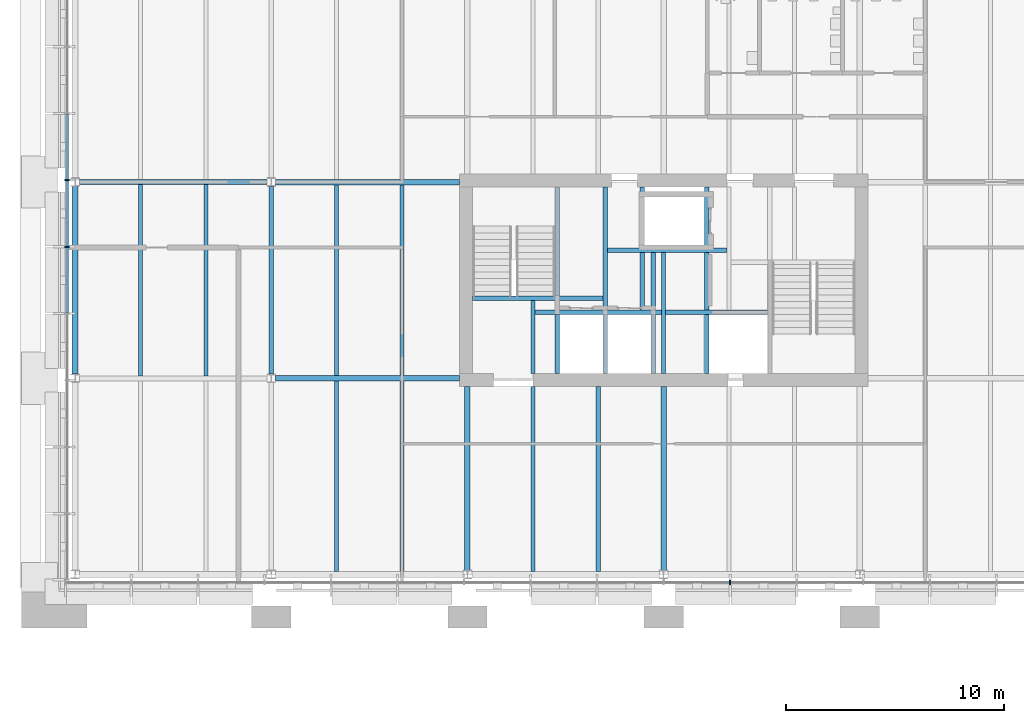
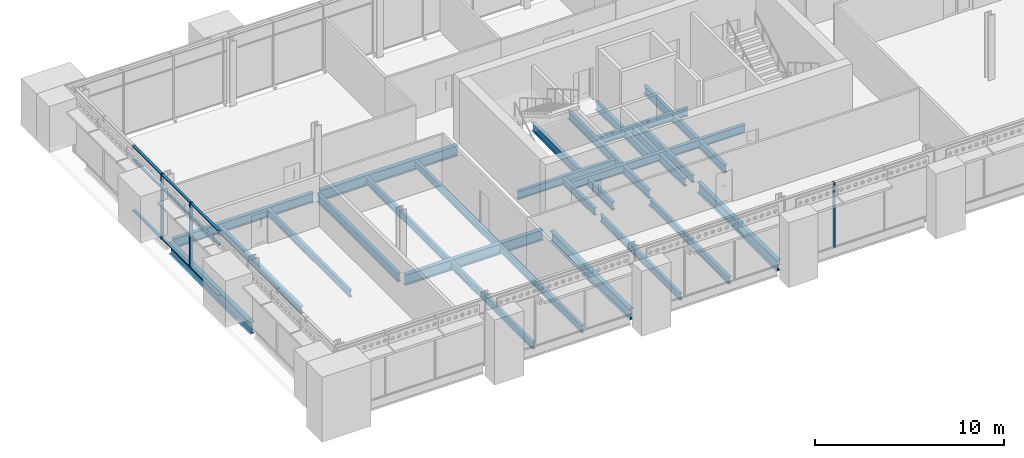
# One storey, part 35 of 153: 32 beams, 12 members, 2 elements without a shape of their own.
"""IFC4 building model written with IfcOpenShell, lengths in metres."""

from ifc_helpers import new_model, si_unit, direction, frame, origin, origin_2d, place, context, subcontext, project, spatial, rectangle, i_section, extrude, material, material_profile, profile_set, type_object, element, aggregate, save


model = new_model("IFC4")

# Units and contexts
model_context = context("Model", 3, precision=1e-05, world=origin(), true_north=direction((0.0, 1.0)))
body_context = subcontext(model_context, "Body", "Model", "MODEL_VIEW")
ifc_project = project(units=[si_unit("LENGTHUNIT", "METRE"), si_unit("AREAUNIT", "SQUARE_METRE"), si_unit("VOLUMEUNIT", "CUBIC_METRE"), si_unit("PLANEANGLEUNIT", "RADIAN"), si_unit("MASSUNIT", "GRAM", prefix="KILO")], contexts=[model_context])

# Site, building, storey
site_placement = place(None, origin())
site = spatial("IfcSite", under=ifc_project, at=site_placement, CompositionType="ELEMENT")
building_placement = place(site_placement, origin())
building = spatial("IfcBuilding", under=site, at=building_placement, Name="Baradari Gate Terminus", CompositionType="ELEMENT")
storey_placement = place(building_placement, frame((0.0, 0.0, 11.699951171875)))
storey = spatial("IfcBuildingStorey", under=building, at=storey_placement, Name="L02", CompositionType="ELEMENT", Elevation=11.699951171875)

# Beams
ifc_material_1 = material(Name="Steel S355", Category="steel")
ifc_material_profile_1 = material_profile(ifc_material_1, i_section(OverallWidth=0.19140625, OverallDepth=0.4599609375, WebThickness=0.010009765625, FlangeThickness=0.01611328125, FilletRadius=0.01025390625, at=origin_2d()), Name="UB 457x191x82")
ifc_profile_set_1 = profile_set([ifc_material_profile_1], Name="Steel S355")
beam_type_1 = type_object("IfcBeamType", Name="Core floor beam B23 UB 457x191x82", PredefinedType="BEAM", material=ifc_profile_set_1)
beam_1_placement = place(storey_placement, frame((30.0, 126.22509765625, -0.35986328125), z_axis=(0.0, 1.0, 0.0), x_axis=(-1.0, 0.0, 0.0)))
element("IfcBeam", 1, at=beam_1_placement, inside=storey, type_object=beam_type_1, Name="Core floor beam B23 30:126.225-129.57 L02", PredefinedType="BEAM", context=body_context, shape_type="SweptSolid", body=[
    extrude(i_section(OverallWidth=0.19140625, OverallDepth=0.4599609375, WebThickness=0.010009765625, FlangeThickness=0.01611328125, FilletRadius=0.01025390625, at=origin_2d()), origin(), (0.0, 0.0, 1.0), 3.34521484375),
])
beam_2_placement = place(storey_placement, frame((36.0, 126.22509765625, -0.35986328125), z_axis=(0.0, 1.0, 0.0), x_axis=(-1.0, 0.0, 0.0)))
element("IfcBeam", 2, at=beam_2_placement, inside=storey, type_object=beam_type_1, Name="Core floor beam B23 5:126.225-131.77 L02", PredefinedType="BEAM", context=body_context, shape_type="SweptSolid", body=[
    extrude(i_section(OverallWidth=0.19140625, OverallDepth=0.4599609375, WebThickness=0.010009765625, FlangeThickness=0.01611328125, FilletRadius=0.01025390625, at=origin_2d()), origin(), (0.0, 0.0, 1.0), 5.54541015625),
])
ifc_material_2 = material(Name="Steel S355", Category="steel")
ifc_material_profile_2 = material_profile(ifc_material_2, i_section(OverallWidth=0.209228515625, OverallDepth=0.533203125, WebThickness=0.010009765625, FlangeThickness=0.015625, FilletRadius=0.0126953125, at=origin_2d()), Name="UB 533x210x92")
ifc_profile_set_2 = profile_set([ifc_material_profile_2], Name="Steel S355")
beam_type_2 = type_object("IfcBeamType", Name="Core floor trimmer beam B22 UB 533x210x92", PredefinedType="BEAM", material=ifc_profile_set_2)
beam_3_placement = place(storey_placement, frame((30.095703125, 129.02490234375, -0.396484375), z_axis=(1.0, 0.0, 0.0), x_axis=(0.0, 1.0, 0.0)))
element("IfcBeam", 3, at=beam_3_placement, inside=storey, type_object=beam_type_2, Name="Core floor trimmer beam B22 129.025:30.096-35.904 L02", PredefinedType="BEAM", context=body_context, shape_type="SweptSolid", body=[
    extrude(i_section(OverallWidth=0.209228515625, OverallDepth=0.533203125, WebThickness=0.010009765625, FlangeThickness=0.015625, FilletRadius=0.0126953125, at=origin_2d()), origin(), (0.0, 0.0, 1.0), 5.80859375),
])
beam_4_placement = place(storey_placement, frame((36.095703125, 129.02490234375, -0.396484375), z_axis=(1.0, 0.0, 0.0), x_axis=(0.0, 1.0, 0.0)))
element("IfcBeam", 4, at=beam_4_placement, inside=storey, type_object=beam_type_2, Name="Core floor trimmer beam B22 129.025:36.096-40.77 L02", PredefinedType="BEAM", context=body_context, shape_type="SweptSolid", body=[
    extrude(i_section(OverallWidth=0.209228515625, OverallDepth=0.533203125, WebThickness=0.010009765625, FlangeThickness=0.015625, FilletRadius=0.0126953125, at=origin_2d()), origin(), (0.0, 0.0, 1.0), 4.6748046875),
])
beam_5_placement = place(storey_placement, frame((27.22509765625, 129.675048828125, -0.396484375), z_axis=(1.0, 0.0, 0.0), x_axis=(0.0, 1.0, 0.0)))
element("IfcBeam", 5, at=beam_5_placement, inside=storey, type_object=beam_type_2, Name="Core floor trimmer beam B22 129.675:27.225-33.22 L02", PredefinedType="BEAM", context=body_context, shape_type="SweptSolid", body=[
    extrude(i_section(OverallWidth=0.209228515625, OverallDepth=0.533203125, WebThickness=0.010009765625, FlangeThickness=0.015625, FilletRadius=0.0126953125, at=origin_2d()), origin(), (0.0, 0.0, 1.0), 5.995361328125),
])
beam_6_placement = place(storey_placement, frame((33.4296875, 131.875, -0.396484375), z_axis=(1.0, 0.0, 0.0), x_axis=(0.0, 1.0, 0.0)))
element("IfcBeam", 6, at=beam_6_placement, inside=storey, type_object=beam_type_2, Name="Core floor trimmer beam B22 131.875:33.43-38.904 L02", PredefinedType="BEAM", context=body_context, shape_type="SweptSolid", body=[
    extrude(i_section(OverallWidth=0.209228515625, OverallDepth=0.533203125, WebThickness=0.010009765625, FlangeThickness=0.015625, FilletRadius=0.0126953125, at=origin_2d()), origin(), (0.0, 0.0, 1.0), 5.474609375),
])
for number, where, z_axis, x_axis, name in (
    (7, (31.125, 126.22509765625, -0.396484375), (0.0, 1.0, 0.0), (-1.0, 0.0, 0.0), "Core floor trimmer beam B22 31.125:126.225-128.92 L02"),
    (8, (33.324951171875, 126.22509765625, -0.396484375), (0.0, 1.0, 0.0), (-1.0, 0.0, 0.0), "Core floor trimmer beam B22 33.325:126.225-128.92 L02"),
):
    element("IfcBeam", number, at=place(storey_placement, frame(where, z_axis=z_axis, x_axis=x_axis)), inside=storey, type_object=beam_type_2, Name=name, PredefinedType="BEAM", context=body_context, shape_type="SweptSolid", body=[
        extrude(i_section(OverallWidth=0.209228515625, OverallDepth=0.533203125, WebThickness=0.010009765625, FlangeThickness=0.015625, FilletRadius=0.0126953125, at=origin_2d()), origin(), (0.0, 0.0, 1.0), 2.6953125),
    ])
beam_7_placement = place(storey_placement, frame((33.324951171875, 129.129638671875, -0.396484375), z_axis=(0.0, 1.0, 0.0), x_axis=(-1.0, 0.0, 0.0)))
element("IfcBeam", 9, at=beam_7_placement, inside=storey, type_object=beam_type_2, Name="Core floor trimmer beam B22 33.325:129.13-134.775 L02", PredefinedType="BEAM", context=body_context, shape_type="SweptSolid", body=[
    extrude(i_section(OverallWidth=0.209228515625, OverallDepth=0.533203125, WebThickness=0.010009765625, FlangeThickness=0.015625, FilletRadius=0.0126953125, at=origin_2d()), origin(), (0.0, 0.0, 1.0), 5.645263671875),
])
beam_8_placement = place(storey_placement, frame((35.530029296875, 126.22509765625, -0.396484375), z_axis=(0.0, 1.0, 0.0), x_axis=(-1.0, 0.0, 0.0)))
element("IfcBeam", 10, at=beam_8_placement, inside=storey, type_object=beam_type_2, Name="Core floor trimmer beam B22 35.53:126.225-128.92 L02", PredefinedType="BEAM", context=body_context, shape_type="SweptSolid", body=[
    extrude(i_section(OverallWidth=0.209228515625, OverallDepth=0.533203125, WebThickness=0.010009765625, FlangeThickness=0.015625, FilletRadius=0.0126953125, at=origin_2d()), origin(), (0.0, 0.0, 1.0), 2.6953125),
])
beam_9_placement = place(storey_placement, frame((35.530029296875, 129.129638671875, -0.396484375), z_axis=(0.0, 1.0, 0.0), x_axis=(-1.0, 0.0, 0.0)))
element("IfcBeam", 11, at=beam_9_placement, inside=storey, type_object=beam_type_2, Name="Core floor trimmer beam B22 35.53:129.13-131.77 L02", PredefinedType="BEAM", context=body_context, shape_type="SweptSolid", body=[
    extrude(i_section(OverallWidth=0.209228515625, OverallDepth=0.533203125, WebThickness=0.010009765625, FlangeThickness=0.015625, FilletRadius=0.0126953125, at=origin_2d()), origin(), (0.0, 0.0, 1.0), 2.640869140625),
])
beam_10_placement = place(storey_placement, frame((37.97802734375, 126.22509765625, -0.396484375), z_axis=(0.0, 1.0, 0.0), x_axis=(-1.0, 0.0, 0.0)))
element("IfcBeam", 12, at=beam_10_placement, inside=storey, type_object=beam_type_2, Name="Core floor trimmer beam B22 37.978:126.225-128.92 L02", PredefinedType="BEAM", context=body_context, shape_type="SweptSolid", body=[
    extrude(i_section(OverallWidth=0.209228515625, OverallDepth=0.533203125, WebThickness=0.010009765625, FlangeThickness=0.015625, FilletRadius=0.0126953125, at=origin_2d()), origin(), (0.0, 0.0, 1.0), 2.6953125),
])
beam_11_placement = place(storey_placement, frame((31.125, 129.77978515625, -0.396484375), z_axis=(0.0, 1.0, 0.0), x_axis=(-1.0, 0.0, 0.0)))
element("IfcBeam", 13, at=beam_11_placement, inside=storey, type_object=beam_type_2, Name="Core floor trimmer beam B22 31.125:129.78-134.775 L02", PredefinedType="BEAM", context=body_context, shape_type="SweptSolid", body=[
    extrude(i_section(OverallWidth=0.209228515625, OverallDepth=0.533203125, WebThickness=0.010009765625, FlangeThickness=0.015625, FilletRadius=0.0126953125, at=origin_2d()), origin(), (0.0, 0.0, 1.0), 4.9951171875),
])
beam_12_placement = place(storey_placement, frame((35.02001953125, 129.129638671875, -0.396484375), z_axis=(0.0, 1.0, 0.0), x_axis=(-1.0, 0.0, 0.0)))
element("IfcBeam", 14, at=beam_12_placement, inside=storey, type_object=beam_type_2, Name="Core floor trimmer beam B22 35.02:129.13-131.77 L02", PredefinedType="BEAM", context=body_context, shape_type="SweptSolid", body=[
    extrude(i_section(OverallWidth=0.209228515625, OverallDepth=0.533203125, WebThickness=0.010009765625, FlangeThickness=0.015625, FilletRadius=0.0126953125, at=origin_2d()), origin(), (0.0, 0.0, 1.0), 2.640869140625),
])
beam_13_placement = place(storey_placement, frame((35.02001953125, 131.9794921875, -0.396484375), z_axis=(0.0, 1.0, 0.0), x_axis=(-1.0, 0.0, 0.0)))
element("IfcBeam", 15, at=beam_13_placement, inside=storey, type_object=beam_type_2, Name="Core floor trimmer beam B22 35.02:131.98-134.775 L02", PredefinedType="BEAM", context=body_context, shape_type="SweptSolid", body=[
    extrude(i_section(OverallWidth=0.209228515625, OverallDepth=0.533203125, WebThickness=0.010009765625, FlangeThickness=0.015625, FilletRadius=0.0126953125, at=origin_2d()), origin(), (0.0, 0.0, 1.0), 2.79541015625),
])
beam_14_placement = place(storey_placement, frame((37.97802734375, 129.129638671875, -0.396484375), z_axis=(0.0, 1.0, 0.0), x_axis=(-1.0, 0.0, 0.0)))
element("IfcBeam", 16, at=beam_14_placement, inside=storey, type_object=beam_type_2, Name="Core floor trimmer beam B22 37.978:129.13-131.77 L02", PredefinedType="BEAM", context=body_context, shape_type="SweptSolid", body=[
    extrude(i_section(OverallWidth=0.209228515625, OverallDepth=0.533203125, WebThickness=0.010009765625, FlangeThickness=0.015625, FilletRadius=0.0126953125, at=origin_2d()), origin(), (0.0, 0.0, 1.0), 2.640869140625),
])
beam_15_placement = place(storey_placement, frame((37.97802734375, 131.9794921875, -0.396484375), z_axis=(0.0, 1.0, 0.0), x_axis=(-1.0, 0.0, 0.0)))
element("IfcBeam", 17, at=beam_15_placement, inside=storey, type_object=beam_type_2, Name="Core floor trimmer beam B22 37.978:131.98-134.775 L02", PredefinedType="BEAM", context=body_context, shape_type="SweptSolid", body=[
    extrude(i_section(OverallWidth=0.209228515625, OverallDepth=0.533203125, WebThickness=0.010009765625, FlangeThickness=0.015625, FilletRadius=0.0126953125, at=origin_2d()), origin(), (0.0, 0.0, 1.0), 2.79541015625),
])

# Curtain wall, member
ifc_material_3 = material(Name="Aluminium 6063-T6", Category="aluminium")
curtain_wall_type = type_object("IfcCurtainWallType", Name="Curtain wall CW-1 block unitised, zone L02-L05", PredefinedType="NOTDEFINED", material=ifc_material_3)
curtain_wall_1_placement = place(storey_placement, origin())
curtain_wall_1 = element("IfcCurtainWall", 18, at=curtain_wall_1_placement, inside=storey, type_object=curtain_wall_type, Name="Curtain wall CW-1 Operations block S face L02", PredefinedType="NOTDEFINED")
ifc_material_4 = material(Name="Aluminium 6063-T6", Category="aluminium")
ifc_material_profile_3 = material_profile(ifc_material_4, rectangle(XDim=0.199951171875, YDim=0.06494140625, at=origin_2d()), Name="CM-1 65X200")
ifc_profile_set_3 = profile_set([ifc_material_profile_3], Name="Aluminium 6063-T6")
member_type_1 = type_object("IfcMemberType", Name="Curtain wall mullion CM-1 65x200", PredefinedType="MULLION", material=ifc_profile_set_3)
member_1_placement = place(storey_placement, frame((39.05224609375, 116.6298828125, 0.0), z_axis=(0.0, 0.0, 1.0), x_axis=(0.0, 1.0, 0.0)))
member_1 = element("IfcMember", 19, at=member_1_placement, type_object=member_type_1, Name="CW-1 mullion 11", PredefinedType="MULLION", context=body_context, shape_type="SweptSolid", body=[
    extrude(rectangle(XDim=0.199951171875, YDim=0.06494140625, at=origin_2d()), origin(), (0.0, 0.0, 1.0), 4.199951171875),
])
aggregate(curtain_wall_1, [member_1])

# Curtain wall, members
curtain_wall_2_placement = place(storey_placement, origin())
curtain_wall_2 = element("IfcCurtainWall", 20, at=curtain_wall_2_placement, inside=storey, type_object=curtain_wall_type, Name="Curtain wall CW-1 Operations block W face L02", PredefinedType="NOTDEFINED")
member_2_placement = place(storey_placement, frame((8.6298828125, 132.030029296875, 0.0), z_axis=(0.0, 0.0, 1.0), x_axis=(-1.0, 0.0, 0.0)))
member_2 = element("IfcMember", 21, at=member_2_placement, type_object=member_type_1, Name="CW-1 mullion 6", PredefinedType="MULLION", context=body_context, shape_type="SweptSolid", body=[
    extrude(rectangle(XDim=0.199951171875, YDim=0.06494140625, at=origin_2d()), origin(), (0.0, 0.0, 1.0), 4.199951171875),
])
member_3_placement = place(storey_placement, frame((8.6298828125, 135.090087890625, 0.0), z_axis=(0.0, 0.0, 1.0), x_axis=(-1.0, 0.0, 0.0)))
member_3 = element("IfcMember", 22, at=member_3_placement, type_object=member_type_1, Name="CW-1 mullion 7", PredefinedType="MULLION", context=body_context, shape_type="SweptSolid", body=[
    extrude(rectangle(XDim=0.199951171875, YDim=0.06494140625, at=origin_2d()), origin(), (0.0, 0.0, 1.0), 4.199951171875),
])
ifc_material_5 = material(Name="Aluminium 6063-T6", Category="aluminium")
ifc_material_profile_4 = material_profile(ifc_material_5, rectangle(XDim=0.14990234375, YDim=0.06494140625, at=origin_2d()), Name="CT-1 65X150")
ifc_profile_set_4 = profile_set([ifc_material_profile_4], Name="Aluminium 6063-T6")
member_type_2 = type_object("IfcMemberType", Name="Curtain wall transom CT-1 65x150", PredefinedType="USERDEFINED", material=ifc_profile_set_4)
member_4_placement = place(storey_placement, frame((8.6298828125, 129.00244140625, 0.032470703125), z_axis=(0.0, 1.0, 0.0), x_axis=(-1.0, 0.0, 0.0)))
member_4 = element("IfcMember", 23, at=member_4_placement, type_object=member_type_2, Name="CW-1 transom 5.1", ObjectType="TRANSOM", PredefinedType="USERDEFINED", context=body_context, shape_type="SweptSolid", body=[
    extrude(rectangle(XDim=0.14990234375, YDim=0.06494140625, at=origin_2d()), origin(), (0.0, 0.0, 1.0), 2.9951171875),
])
member_5_placement = place(storey_placement, frame((8.6298828125, 129.00244140625, 3.300048828125), z_axis=(0.0, 1.0, 0.0), x_axis=(-1.0, 0.0, 0.0)))
member_5 = element("IfcMember", 24, at=member_5_placement, type_object=member_type_2, Name="CW-1 transom 5.2", ObjectType="TRANSOM", PredefinedType="USERDEFINED", context=body_context, shape_type="SweptSolid", body=[
    extrude(rectangle(XDim=0.14990234375, YDim=0.06494140625, at=origin_2d()), origin(), (0.0, 0.0, 1.0), 2.9951171875),
])
member_6_placement = place(storey_placement, frame((8.6298828125, 129.00244140625, 4.16748046875), z_axis=(0.0, 1.0, 0.0), x_axis=(-1.0, 0.0, 0.0)))
member_6 = element("IfcMember", 25, at=member_6_placement, type_object=member_type_2, Name="CW-1 transom 5.3", ObjectType="TRANSOM", PredefinedType="USERDEFINED", context=body_context, shape_type="SweptSolid", body=[
    extrude(rectangle(XDim=0.14990234375, YDim=0.06494140625, at=origin_2d()), origin(), (0.0, 0.0, 1.0), 2.9951171875),
])
member_7_placement = place(storey_placement, frame((8.6298828125, 132.0625, 0.032470703125), z_axis=(0.0, 1.0, 0.0), x_axis=(-1.0, 0.0, 0.0)))
member_7 = element("IfcMember", 26, at=member_7_placement, type_object=member_type_2, Name="CW-1 transom 6.1", ObjectType="TRANSOM", PredefinedType="USERDEFINED", context=body_context, shape_type="SweptSolid", body=[
    extrude(rectangle(XDim=0.14990234375, YDim=0.06494140625, at=origin_2d()), origin(), (0.0, 0.0, 1.0), 2.9951171875),
])
member_8_placement = place(storey_placement, frame((8.6298828125, 132.0625, 3.300048828125), z_axis=(0.0, 1.0, 0.0), x_axis=(-1.0, 0.0, 0.0)))
member_8 = element("IfcMember", 27, at=member_8_placement, type_object=member_type_2, Name="CW-1 transom 6.2", ObjectType="TRANSOM", PredefinedType="USERDEFINED", context=body_context, shape_type="SweptSolid", body=[
    extrude(rectangle(XDim=0.14990234375, YDim=0.06494140625, at=origin_2d()), origin(), (0.0, 0.0, 1.0), 2.9951171875),
])
member_9_placement = place(storey_placement, frame((8.6298828125, 132.0625, 4.16748046875), z_axis=(0.0, 1.0, 0.0), x_axis=(-1.0, 0.0, 0.0)))
member_9 = element("IfcMember", 28, at=member_9_placement, type_object=member_type_2, Name="CW-1 transom 6.3", ObjectType="TRANSOM", PredefinedType="USERDEFINED", context=body_context, shape_type="SweptSolid", body=[
    extrude(rectangle(XDim=0.14990234375, YDim=0.06494140625, at=origin_2d()), origin(), (0.0, 0.0, 1.0), 2.9951171875),
])
member_10_placement = place(storey_placement, frame((8.6298828125, 135.12255859375, 0.032470703125), z_axis=(0.0, 1.0, 0.0), x_axis=(-1.0, 0.0, 0.0)))
member_10 = element("IfcMember", 29, at=member_10_placement, type_object=member_type_2, Name="CW-1 transom 7.1", ObjectType="TRANSOM", PredefinedType="USERDEFINED", context=body_context, shape_type="SweptSolid", body=[
    extrude(rectangle(XDim=0.14990234375, YDim=0.06494140625, at=origin_2d()), origin(), (0.0, 0.0, 1.0), 2.994873046875),
])
member_11_placement = place(storey_placement, frame((8.6298828125, 135.12255859375, 3.300048828125), z_axis=(0.0, 1.0, 0.0), x_axis=(-1.0, 0.0, 0.0)))
member_11 = element("IfcMember", 30, at=member_11_placement, type_object=member_type_2, Name="CW-1 transom 7.2", ObjectType="TRANSOM", PredefinedType="USERDEFINED", context=body_context, shape_type="SweptSolid", body=[
    extrude(rectangle(XDim=0.14990234375, YDim=0.06494140625, at=origin_2d()), origin(), (0.0, 0.0, 1.0), 2.994873046875),
])
member_12_placement = place(storey_placement, frame((8.6298828125, 135.12255859375, 4.16748046875), z_axis=(0.0, 1.0, 0.0), x_axis=(-1.0, 0.0, 0.0)))
member_12 = element("IfcMember", 31, at=member_12_placement, type_object=member_type_2, Name="CW-1 transom 7.3", ObjectType="TRANSOM", PredefinedType="USERDEFINED", context=body_context, shape_type="SweptSolid", body=[
    extrude(rectangle(XDim=0.14990234375, YDim=0.06494140625, at=origin_2d()), origin(), (0.0, 0.0, 1.0), 2.994873046875),
])
aggregate(curtain_wall_2, [member_2, member_3, member_4, member_5, member_6, member_7, member_8, member_9, member_10, member_11, member_12])

# Beams
ifc_material_6 = material(Name="Steel S355", Category="steel")
ifc_material_profile_5 = material_profile(ifc_material_6, i_section(OverallWidth=0.25439453125, OverallDepth=0.6875, WebThickness=0.01318359375, FlangeThickness=0.02099609375, FilletRadius=0.01513671875, at=origin_2d()), Name="UB 686x254x152")
ifc_profile_set_5 = profile_set([ifc_material_profile_5], Name="Steel S355")
beam_type_3 = type_object("IfcBeamType", Name="Operations block coupling beam B26 UB 686x254x152", PredefinedType="BEAM", material=ifc_profile_set_5)
for number, where, z_axis, x_axis, name in (
    (32, (18.201416015625, 126.0, -0.4736328125), (1.0, 0.0, 0.0), (0.0, 1.0, 0.0), "Operations block coupling beam B26 Q:18.201-26.625 L02"),
    (33, (18.201416015625, 135.0, -0.4736328125), (1.0, 0.0, 0.0), (0.0, 1.0, 0.0), "Operations block coupling beam B26 R:18.201-26.625 L02"),
):
    element("IfcBeam", number, at=place(storey_placement, frame(where, z_axis=z_axis, x_axis=x_axis)), inside=storey, type_object=beam_type_3, Name=name, PredefinedType="BEAM", context=body_context, shape_type="SweptSolid", body=[
        extrude(i_section(OverallWidth=0.25439453125, OverallDepth=0.6875, WebThickness=0.01318359375, FlangeThickness=0.02099609375, FilletRadius=0.01513671875, at=origin_2d()), origin(), (0.0, 0.0, 1.0), 8.423583984375),
    ])
for number, where, z_axis, x_axis, name in (
    (34, (27.0, 117.1904296875, -0.4736328125), (0.0, 1.0, 0.0), (-1.0, 0.0, 0.0), "Operations block coupling beam B26 4:117.191-125.625 L02"),
    (35, (36.0, 117.1904296875, -0.4736328125), (0.0, 1.0, 0.0), (-1.0, 0.0, 0.0), "Operations block coupling beam B26 5:117.191-125.625 L02"),
):
    element("IfcBeam", number, at=place(storey_placement, frame(where, z_axis=z_axis, x_axis=x_axis)), inside=storey, type_object=beam_type_3, Name=name, PredefinedType="BEAM", context=body_context, shape_type="SweptSolid", body=[
        extrude(i_section(OverallWidth=0.25439453125, OverallDepth=0.6875, WebThickness=0.01318359375, FlangeThickness=0.02099609375, FilletRadius=0.01513671875, at=origin_2d()), origin(), (0.0, 0.0, 1.0), 8.4345703125),
    ])
ifc_material_7 = material(Name="Steel S355", Category="steel")
ifc_material_profile_6 = material_profile(ifc_material_7, i_section(OverallWidth=0.22900390625, OverallDepth=0.6123046875, WebThickness=0.011962890625, FlangeThickness=0.01953125, FilletRadius=0.0126953125, at=origin_2d()), Name="UB 610x229x125")
ifc_profile_set_6 = profile_set([ifc_material_profile_6], Name="Steel S355")
beam_type_4 = type_object("IfcBeamType", Name="Operations block girder B25 UB 610x229x125", PredefinedType="BEAM", material=ifc_profile_set_6)
beam_16_placement = place(storey_placement, frame((9.197509765625, 135.0, -0.43603515625), z_axis=(1.0, 0.0, 0.0), x_axis=(0.0, 1.0, 0.0)))
element("IfcBeam", 36, at=beam_16_placement, inside=storey, type_object=beam_type_4, Name="Operations block girder B25 R:9.197-17.799 L02", PredefinedType="BEAM", context=body_context, shape_type="SweptSolid", body=[
    extrude(i_section(OverallWidth=0.22900390625, OverallDepth=0.6123046875, WebThickness=0.011962890625, FlangeThickness=0.01953125, FilletRadius=0.0126953125, at=origin_2d()), origin(), (0.0, 0.0, 1.0), 8.60107421875),
])
ifc_material_8 = material(Name="Steel S355", Category="steel")
ifc_material_profile_7 = material_profile(ifc_material_8, i_section(OverallWidth=0.210693359375, OverallDepth=0.53955078125, WebThickness=0.01171875, FlangeThickness=0.018798828125, FilletRadius=0.0126953125, at=origin_2d()), Name="UB 533x210x109")
ifc_profile_set_7 = profile_set([ifc_material_profile_7], Name="Steel S355")
beam_type_5 = type_object("IfcBeamType", Name="Operations block girder B29 UB 533x210x109", PredefinedType="BEAM", material=ifc_profile_set_7)
beam_17_placement = place(storey_placement, frame((18.0, 126.203125, -0.399658203125), z_axis=(0.0, 1.0, 0.0), x_axis=(-1.0, 0.0, 0.0)))
element("IfcBeam", 37, at=beam_17_placement, inside=storey, type_object=beam_type_5, Name="Operations block girder B29 3:126.203-134.797 L02", PredefinedType="BEAM", context=body_context, shape_type="SweptSolid", body=[
    extrude(i_section(OverallWidth=0.210693359375, OverallDepth=0.53955078125, WebThickness=0.01171875, FlangeThickness=0.018798828125, FilletRadius=0.0126953125, at=origin_2d()), origin(), (0.0, 0.0, 1.0), 8.59375),
])
ifc_material_9 = material(Name="Steel S355", Category="steel")
ifc_material_profile_8 = material_profile(ifc_material_9, i_section(OverallWidth=0.2666015625, OverallDepth=0.76220703125, WebThickness=0.014404296875, FlangeThickness=0.021484375, FilletRadius=0.0166015625, at=origin_2d()), Name="UB 762x267x173")
ifc_profile_set_8 = profile_set([ifc_material_profile_8], Name="Steel S355")
beam_type_6 = type_object("IfcBeamType", Name="Operations block moment frame beam B24 UB 762x267x173", PredefinedType="BEAM", material=ifc_profile_set_8)
beam_18_placement = place(storey_placement, frame((9.0, 126.1904296875, -0.510986328125), z_axis=(0.0, 1.0, 0.0), x_axis=(-1.0, 0.0, 0.0)))
element("IfcBeam", 38, at=beam_18_placement, inside=storey, type_object=beam_type_6, Name="Operations block moment frame beam B24 2:126.191-134.81 L02", PredefinedType="BEAM", context=body_context, shape_type="SweptSolid", body=[
    extrude(i_section(OverallWidth=0.2666015625, OverallDepth=0.76220703125, WebThickness=0.014404296875, FlangeThickness=0.021484375, FilletRadius=0.0166015625, at=origin_2d()), origin(), (0.0, 0.0, 1.0), 8.619140625),
])
ifc_material_10 = material(Name="Steel S355", Category="steel")
ifc_material_profile_9 = material_profile(ifc_material_10, i_section(OverallWidth=0.18994140625, OverallDepth=0.453369140625, WebThickness=0.008544921875, FlangeThickness=0.0126953125, FilletRadius=0.01025390625, at=origin_2d()), Name="UB 457x191x67")
ifc_profile_set_9 = profile_set([ifc_material_profile_9], Name="Steel S355")
beam_type_7 = type_object("IfcBeamType", Name="Operations block secondary beam B28 UB 457x191x67", PredefinedType="BEAM", material=ifc_profile_set_9)
for number, where, z_axis, x_axis, name in (
    (39, (12.0, 126.114501953125, -0.356689453125), (0.0, 1.0, 0.0), (-1.0, 0.0, 0.0), "Operations block secondary beam B28 12:126.115-134.886 L02"),
    (40, (15.0, 126.114501953125, -0.356689453125), (0.0, 1.0, 0.0), (-1.0, 0.0, 0.0), "Operations block secondary beam B28 15:126.115-134.886 L02"),
):
    element("IfcBeam", number, at=place(storey_placement, frame(where, z_axis=z_axis, x_axis=x_axis)), inside=storey, type_object=beam_type_7, Name=name, PredefinedType="BEAM", context=body_context, shape_type="SweptSolid", body=[
        extrude(i_section(OverallWidth=0.18994140625, OverallDepth=0.453369140625, WebThickness=0.008544921875, FlangeThickness=0.0126953125, FilletRadius=0.01025390625, at=origin_2d()), origin(), (0.0, 0.0, 1.0), 8.77099609375),
    ])
beam_19_placement = place(storey_placement, frame((21.0, 117.13330078125, -0.356689453125), z_axis=(0.0, 1.0, 0.0), x_axis=(-1.0, 0.0, 0.0)))
element("IfcBeam", 41, at=beam_19_placement, inside=storey, type_object=beam_type_7, Name="Operations block secondary beam B28 21:117.133-125.873 L02", PredefinedType="BEAM", context=body_context, shape_type="SweptSolid", body=[
    extrude(i_section(OverallWidth=0.18994140625, OverallDepth=0.453369140625, WebThickness=0.008544921875, FlangeThickness=0.0126953125, FilletRadius=0.01025390625, at=origin_2d()), origin(), (0.0, 0.0, 1.0), 8.739501953125),
])
beam_20_placement = place(storey_placement, frame((21.0, 126.127197265625, -0.356689453125), z_axis=(0.0, 1.0, 0.0), x_axis=(-1.0, 0.0, 0.0)))
element("IfcBeam", 42, at=beam_20_placement, inside=storey, type_object=beam_type_7, Name="Operations block secondary beam B28 21:126.127-134.873 L02", PredefinedType="BEAM", context=body_context, shape_type="SweptSolid", body=[
    extrude(i_section(OverallWidth=0.18994140625, OverallDepth=0.453369140625, WebThickness=0.008544921875, FlangeThickness=0.0126953125, FilletRadius=0.01025390625, at=origin_2d()), origin(), (0.0, 0.0, 1.0), 8.74560546875),
])
beam_21_placement = place(storey_placement, frame((24.0, 117.13330078125, -0.356689453125), z_axis=(0.0, 1.0, 0.0), x_axis=(-1.0, 0.0, 0.0)))
element("IfcBeam", 43, at=beam_21_placement, inside=storey, type_object=beam_type_7, Name="Operations block secondary beam B28 24:117.133-125.873 L02", PredefinedType="BEAM", context=body_context, shape_type="SweptSolid", body=[
    extrude(i_section(OverallWidth=0.18994140625, OverallDepth=0.453369140625, WebThickness=0.008544921875, FlangeThickness=0.0126953125, FilletRadius=0.01025390625, at=origin_2d()), origin(), (0.0, 0.0, 1.0), 8.739501953125),
])
beam_22_placement = place(storey_placement, frame((24.0, 126.127197265625, -0.356689453125), z_axis=(0.0, 1.0, 0.0), x_axis=(-1.0, 0.0, 0.0)))
element("IfcBeam", 44, at=beam_22_placement, inside=storey, type_object=beam_type_7, Name="Operations block secondary beam B28 24:126.127-134.873 L02", PredefinedType="BEAM", context=body_context, shape_type="SweptSolid", body=[
    extrude(i_section(OverallWidth=0.18994140625, OverallDepth=0.453369140625, WebThickness=0.008544921875, FlangeThickness=0.0126953125, FilletRadius=0.01025390625, at=origin_2d()), origin(), (0.0, 0.0, 1.0), 8.74560546875),
])
for number, where, z_axis, x_axis, name in (
    (45, (30.0, 117.13330078125, -0.356689453125), (0.0, 1.0, 0.0), (-1.0, 0.0, 0.0), "Operations block secondary beam B28 30:117.133-125.625 L02"),
    (46, (33.0, 117.13330078125, -0.356689453125), (0.0, 1.0, 0.0), (-1.0, 0.0, 0.0), "Operations block secondary beam B28 33:117.133-125.625 L02"),
):
    element("IfcBeam", number, at=place(storey_placement, frame(where, z_axis=z_axis, x_axis=x_axis)), inside=storey, type_object=beam_type_7, Name=name, PredefinedType="BEAM", context=body_context, shape_type="SweptSolid", body=[
        extrude(i_section(OverallWidth=0.18994140625, OverallDepth=0.453369140625, WebThickness=0.008544921875, FlangeThickness=0.0126953125, FilletRadius=0.01025390625, at=origin_2d()), origin(), (0.0, 0.0, 1.0), 8.49169921875),
    ])

save(model, "model.ifc")
